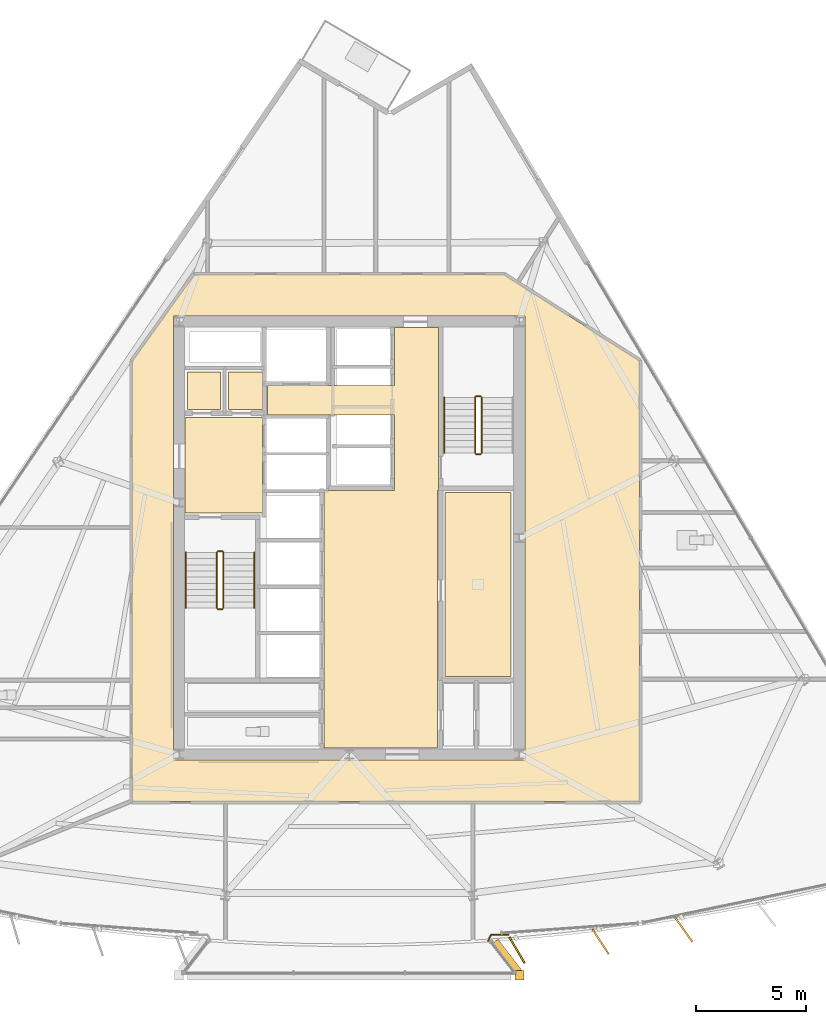
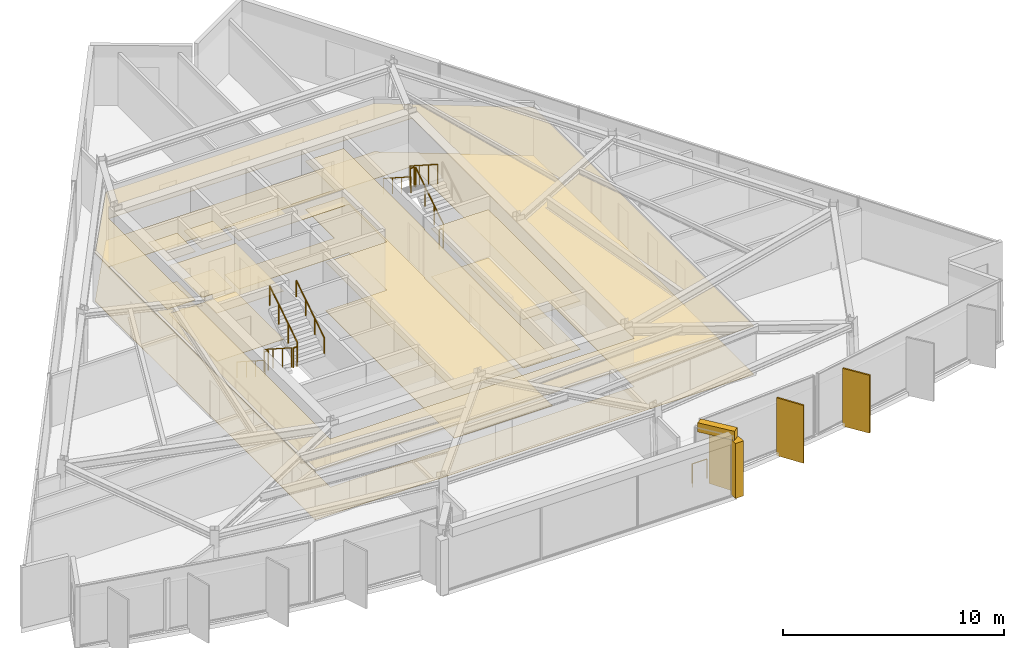
# One storey, part 12 of 14: 14 coverings, 12 railings, 3 shading devices.
"""IFC4 building model written with IfcOpenShell, lengths in metres."""

from ifc_helpers import new_model, si_unit, direction, frame, origin, origin_2d, place, context, subcontext, project, spatial, polyline, rectangle, circle, outline, extrude, material, layer, layer_set, type_object, element, save


model = new_model("IFC4")

# Units and contexts
model_context = context("Model", 3, precision=1e-05, world=origin(), true_north=direction((0.0, 1.0)))
body_context = subcontext(model_context, "Body", "Model", "MODEL_VIEW")
ifc_project = project(units=[si_unit("LENGTHUNIT", "METRE"), si_unit("AREAUNIT", "SQUARE_METRE"), si_unit("VOLUMEUNIT", "CUBIC_METRE"), si_unit("PLANEANGLEUNIT", "RADIAN"), si_unit("MASSUNIT", "GRAM", prefix="KILO")], contexts=[model_context])

# Site, building, storey
site_placement = place(None, origin())
site = spatial("IfcSite", under=ifc_project, at=site_placement, CompositionType="ELEMENT")
building_placement = place(site_placement, origin())
building = spatial("IfcBuilding", under=site, at=building_placement, Name="Savorim Split Tower", CompositionType="ELEMENT")
storey_placement = place(building_placement, frame((0.0, 0.0, 209.10009765625)))
storey = spatial("IfcBuildingStorey", under=building, at=storey_placement, Name="L55", CompositionType="ELEMENT", Elevation=209.10009765625)

# Coverings
ifc_material_1 = material(Name="Mineral Fibre Acoustic Ceiling")
ifc_layer_1 = layer(ifc_material_1, 0.02490234375)
ifc_layer_set_1 = layer_set([ifc_layer_1], Name="COV-CEIL-25")
covering_type_1 = type_object("IfcCoveringType", Name="COV-CEIL-25", PredefinedType="CEILING", material=ifc_layer_set_1)
covering_1_placement = place(storey_placement, frame((0.0, 0.0, 2.669921875)))
element("IfcCovering", 1, at=covering_1_placement, inside=storey, type_object=covering_type_1, Name="L55 Firefighting Lift Lobby Acoustic Ceiling", PredefinedType="CEILING", context=body_context, shape_type="SweptSolid", body=[
    extrude(outline(polyline([(-7.429931640625, 5.8701171875), (-7.429931640625, 1.530029296875), (-3.929931640625, 1.530029296875), (-3.929931640625, 5.8701171875), (-7.429931640625, 5.8701171875)])), origin(), (0.0, 0.0, 1.0), 0.02490234375),
])
covering_2_placement = place(storey_placement, frame((0.0, 0.0, 2.669921875)))
element("IfcCovering", 2, at=covering_2_placement, inside=storey, type_object=covering_type_1, Name="L55 Electrical Riser Acoustic Ceiling", PredefinedType="CEILING", context=body_context, shape_type="SweptSolid", body=[
    extrude(outline(polyline([(-7.320068359375, 7.919921875), (-7.320068359375, 6.22998046875), (-5.830078125, 6.22998046875), (-5.830078125, 7.919921875), (-7.320068359375, 7.919921875)])), origin(), (0.0, 0.0, 1.0), 0.02490234375),
])
covering_3_placement = place(storey_placement, frame((0.0, 0.0, 2.669921875)))
element("IfcCovering", 3, at=covering_3_placement, inside=storey, type_object=covering_type_1, Name="L55 Telecom Riser Acoustic Ceiling", PredefinedType="CEILING", context=body_context, shape_type="SweptSolid", body=[
    extrude(outline(polyline([(-5.469970703125, 7.919921875), (-5.469970703125, 6.22998046875), (-3.929931640625, 6.22998046875), (-3.929931640625, 7.919921875), (-5.469970703125, 7.919921875)])), origin(), (0.0, 0.0, 1.0), 0.02490234375),
])
covering_4_placement = place(storey_placement, frame((0.0, 0.0, 2.669921875)))
element("IfcCovering", 4, at=covering_4_placement, inside=storey, type_object=covering_type_1, Name="L55 Lift Lobby Acoustic Ceiling", PredefinedType="CEILING", context=body_context, shape_type="SweptSolid", body=[
    extrude(outline(polyline([(2.050048828125, 2.550048828125), (-1.14990234375, 2.550048828125), (-1.14990234375, -9.10009765625), (4.0, -9.10009765625), (4.0, 2.550048828125), (4.050048828125, 2.550048828125), (4.050048828125, 5.97998046875), (4.050048828125, 7.300048828125), (4.050048828125, 9.929931640625), (2.050048828125, 9.929931640625), (2.050048828125, 7.300048828125), (-3.699951171875, 7.300048828125), (-3.699951171875, 5.97998046875), (2.050048828125, 5.97998046875), (2.050048828125, 2.550048828125)])), origin(), (0.0, 0.0, 1.0), 0.02490234375),
])
covering_5_placement = place(storey_placement, frame((0.0, 0.0, 2.669921875)))
element("IfcCovering", 5, at=covering_5_placement, inside=storey, type_object=covering_type_1, Name="L55 Community Laundry Room Acoustic Ceiling", PredefinedType="CEILING", context=body_context, shape_type="SweptSolid", body=[
    extrude(outline(polyline([(4.330078125, 2.469970703125), (4.330078125, -5.8701171875), (7.320068359375, -5.8701171875), (7.320068359375, 2.469970703125), (4.330078125, 2.469970703125)])), origin(), (0.0, 0.0, 1.0), 0.02490234375),
])
covering_6_placement = place(storey_placement, frame((0.0, 0.0, 2.669921875)))
element("IfcCovering", 6, at=covering_6_placement, inside=storey, type_object=covering_type_1, Name="L55 Corridor Acoustic Ceiling", PredefinedType="CEILING", context=body_context, shape_type="SweptSolid", body=[
    extrude(outline(polyline([(7.009521484375, 12.3291015625), (7.004638671875, 12.329833984375), (7.0, 12.330078125), (-7.0, 12.330078125), (-7.004638671875, 12.329833984375), (-7.009521484375, 12.3291015625), (-7.013916015625, 12.327880859375), (-7.0185546875, 12.326416015625), (-7.022705078125, 12.324462890625), (-7.027099609375, 12.322021484375), (-7.03076171875, 12.3193359375), (-7.034423828125, 12.31640625), (-7.03759765625, 12.312744140625), (-7.04052734375, 12.30908203125), (-9.820556640625, 8.42919921875), (-9.823486328125, 8.4248046875), (-9.82568359375, 8.420166015625), (-9.82763671875, 8.415283203125), (-9.828857421875, 8.410400390625), (-9.82958984375, 8.4052734375), (-9.830078125, 8.39990234375), (-9.830078125, -11.47998046875), (-9.829833984375, -11.48486328125), (-9.8291015625, -11.48974609375), (-9.827880859375, -11.494384765625), (-9.826171875, -11.4990234375), (-9.82421875, -11.503662109375), (-9.821533203125, -11.5078125), (-9.818603515625, -11.51171875), (-9.8154296875, -11.515380859375), (-9.811767578125, -11.518798828125), (-9.807861328125, -11.521484375), (-9.8037109375, -11.524169921875), (-9.799072265625, -11.526123046875), (-9.79443359375, -11.52783203125), (-9.789794921875, -11.529052734375), (-9.784912109375, -11.52978515625), (-9.780029296875, -11.530029296875), (13.10009765625, -11.530029296875), (13.10498046875, -11.52978515625), (13.10986328125, -11.529052734375), (13.114501953125, -11.52783203125), (13.119140625, -11.526123046875), (13.12353515625, -11.524169921875), (13.127685546875, -11.521484375), (13.131591796875, -11.518798828125), (13.135498046875, -11.515380859375), (13.138671875, -11.51171875), (13.1416015625, -11.5078125), (13.14404296875, -11.503662109375), (13.146240234375, -11.4990234375), (13.147705078125, -11.494384765625), (13.14892578125, -11.48974609375), (13.14990234375, -11.48486328125), (13.14990234375, -11.47998046875), (13.14990234375, 8.39990234375), (13.149658203125, 8.405029296875), (13.14892578125, 8.409912109375), (13.147705078125, 8.414794921875), (13.14599609375, 8.41943359375), (13.143798828125, 8.424072265625), (13.14111328125, 8.42822265625), (13.13818359375, 8.432373046875), (13.134765625, 8.43603515625), (13.130859375, 8.439208984375), (13.126708984375, 8.442138671875), (7.02685546875, 12.322265625), (7.022705078125, 12.324462890625), (7.018310546875, 12.326416015625), (7.013916015625, 12.327880859375), (7.009521484375, 12.3291015625)]), holes=[polyline([(-7.949951171875, 10.449951171875), (-7.949951171875, -9.64990234375), (7.949951171875, -9.64990234375), (7.949951171875, 10.449951171875), (-7.949951171875, 10.449951171875)])]), origin(), (0.0, 0.0, 1.0), 0.02490234375),
])
ifc_material_2 = material(Name="Porcelain Stoneware Flooring", Category="masonry")
ifc_layer_2 = layer(ifc_material_2, 0.02001953125)
ifc_layer_set_2 = layer_set([ifc_layer_2], Name="COV-FLOR-20")
covering_type_2 = type_object("IfcCoveringType", Name="COV-FLOR-20", PredefinedType="FLOORING", material=ifc_layer_set_2)
covering_7_placement = place(storey_placement, origin())
element("IfcCovering", 7, at=covering_7_placement, inside=storey, type_object=covering_type_2, Name="L55 Firefighting Lift Lobby Porcelain Flooring", PredefinedType="FLOORING", context=body_context, shape_type="SweptSolid", body=[
    extrude(outline(polyline([(-7.429931640625, 5.8701171875), (-7.429931640625, 1.530029296875), (-3.929931640625, 1.530029296875), (-3.929931640625, 5.8701171875), (-7.429931640625, 5.8701171875)])), origin(), (0.0, 0.0, 1.0), 0.02001953125),
])
covering_8_placement = place(storey_placement, origin())
element("IfcCovering", 8, at=covering_8_placement, inside=storey, type_object=covering_type_2, Name="L55 Electrical Riser Porcelain Flooring", PredefinedType="FLOORING", context=body_context, shape_type="SweptSolid", body=[
    extrude(outline(polyline([(-7.320068359375, 7.919921875), (-7.320068359375, 6.22998046875), (-5.830078125, 6.22998046875), (-5.830078125, 7.919921875), (-7.320068359375, 7.919921875)])), origin(), (0.0, 0.0, 1.0), 0.02001953125),
])
covering_9_placement = place(storey_placement, origin())
element("IfcCovering", 9, at=covering_9_placement, inside=storey, type_object=covering_type_2, Name="L55 Telecom Riser Porcelain Flooring", PredefinedType="FLOORING", context=body_context, shape_type="SweptSolid", body=[
    extrude(outline(polyline([(-5.469970703125, 7.919921875), (-5.469970703125, 6.22998046875), (-3.929931640625, 6.22998046875), (-3.929931640625, 7.919921875), (-5.469970703125, 7.919921875)])), origin(), (0.0, 0.0, 1.0), 0.02001953125),
])
covering_10_placement = place(storey_placement, origin())
element("IfcCovering", 10, at=covering_10_placement, inside=storey, type_object=covering_type_2, Name="L55 Lift Lobby Porcelain Flooring", PredefinedType="FLOORING", context=body_context, shape_type="SweptSolid", body=[
    extrude(outline(polyline([(2.050048828125, 2.550048828125), (-1.14990234375, 2.550048828125), (-1.14990234375, -9.10009765625), (4.0, -9.10009765625), (4.0, 2.550048828125), (4.050048828125, 2.550048828125), (4.050048828125, 5.97998046875), (4.050048828125, 7.300048828125), (4.050048828125, 9.929931640625), (2.050048828125, 9.929931640625), (2.050048828125, 7.300048828125), (-3.699951171875, 7.300048828125), (-3.699951171875, 5.97998046875), (2.050048828125, 5.97998046875), (2.050048828125, 2.550048828125)])), origin(), (0.0, 0.0, 1.0), 0.02001953125),
])
covering_11_placement = place(storey_placement, origin())
element("IfcCovering", 11, at=covering_11_placement, inside=storey, type_object=covering_type_2, Name="L55 Community Laundry Room Porcelain Flooring", PredefinedType="FLOORING", context=body_context, shape_type="SweptSolid", body=[
    extrude(outline(polyline([(4.330078125, 2.469970703125), (4.330078125, -5.8701171875), (7.320068359375, -5.8701171875), (7.320068359375, 2.469970703125), (4.330078125, 2.469970703125)])), origin(), (0.0, 0.0, 1.0), 0.02001953125),
])
covering_12_placement = place(storey_placement, origin())
element("IfcCovering", 12, at=covering_12_placement, inside=storey, type_object=covering_type_2, Name="L55 Corridor Porcelain Flooring", PredefinedType="FLOORING", context=body_context, shape_type="SweptSolid", body=[
    extrude(outline(polyline([(7.009521484375, 12.3291015625), (7.004638671875, 12.329833984375), (7.0, 12.330078125), (-7.0, 12.330078125), (-7.004638671875, 12.329833984375), (-7.009521484375, 12.3291015625), (-7.013916015625, 12.327880859375), (-7.0185546875, 12.326416015625), (-7.022705078125, 12.324462890625), (-7.027099609375, 12.322021484375), (-7.03076171875, 12.3193359375), (-7.034423828125, 12.31640625), (-7.03759765625, 12.312744140625), (-7.04052734375, 12.30908203125), (-9.820556640625, 8.42919921875), (-9.823486328125, 8.4248046875), (-9.82568359375, 8.420166015625), (-9.82763671875, 8.415283203125), (-9.828857421875, 8.410400390625), (-9.82958984375, 8.4052734375), (-9.830078125, 8.39990234375), (-9.830078125, -11.47998046875), (-9.829833984375, -11.48486328125), (-9.8291015625, -11.48974609375), (-9.827880859375, -11.494384765625), (-9.826171875, -11.4990234375), (-9.82421875, -11.503662109375), (-9.821533203125, -11.5078125), (-9.818603515625, -11.51171875), (-9.8154296875, -11.515380859375), (-9.811767578125, -11.518798828125), (-9.807861328125, -11.521484375), (-9.8037109375, -11.524169921875), (-9.799072265625, -11.526123046875), (-9.79443359375, -11.52783203125), (-9.789794921875, -11.529052734375), (-9.784912109375, -11.52978515625), (-9.780029296875, -11.530029296875), (13.10009765625, -11.530029296875), (13.10498046875, -11.52978515625), (13.10986328125, -11.529052734375), (13.114501953125, -11.52783203125), (13.119140625, -11.526123046875), (13.12353515625, -11.524169921875), (13.127685546875, -11.521484375), (13.131591796875, -11.518798828125), (13.135498046875, -11.515380859375), (13.138671875, -11.51171875), (13.1416015625, -11.5078125), (13.14404296875, -11.503662109375), (13.146240234375, -11.4990234375), (13.147705078125, -11.494384765625), (13.14892578125, -11.48974609375), (13.14990234375, -11.48486328125), (13.14990234375, -11.47998046875), (13.14990234375, 8.39990234375), (13.149658203125, 8.405029296875), (13.14892578125, 8.409912109375), (13.147705078125, 8.414794921875), (13.14599609375, 8.41943359375), (13.143798828125, 8.424072265625), (13.14111328125, 8.42822265625), (13.13818359375, 8.432373046875), (13.134765625, 8.43603515625), (13.130859375, 8.439208984375), (13.126708984375, 8.442138671875), (7.02685546875, 12.322265625), (7.022705078125, 12.324462890625), (7.018310546875, 12.326416015625), (7.013916015625, 12.327880859375), (7.009521484375, 12.3291015625)]), holes=[polyline([(-7.949951171875, 10.449951171875), (-7.949951171875, -9.64990234375), (7.949951171875, -9.64990234375), (7.949951171875, 10.449951171875), (-7.949951171875, 10.449951171875)])]), origin(), (0.0, 0.0, 1.0), 0.02001953125),
])
ifc_material_3 = material(Name="White Porcelain Architectural Cladding")
ifc_layer_3 = layer(ifc_material_3, 0.139892578125)
ifc_layer_set_3 = layer_set([ifc_layer_3], Name="COV-FRM-WHITE")
covering_type_3 = type_object("IfcCoveringType", Name="COV-FRM-WHITE", PredefinedType="CLADDING", material=ifc_layer_set_3)
covering_13_placement = place(storey_placement, frame((0.0, 0.0, 3.079833984375)))
element("IfcCovering", 13, at=covering_13_placement, inside=storey, type_object=covering_type_3, Name="L55 Cantilevered Lounge White Upper Cornice Band E", PredefinedType="CLADDING", context=body_context, shape_type="SweptSolid", body=[
    extrude(outline(polyline([(7.84033203125, -19.198486328125), (6.740478515625, -17.773681640625), (6.47119140625, -17.981201171875), (7.571044921875, -19.40625), (7.84033203125, -19.198486328125)])), origin(), (0.0, 0.0, 1.0), 0.510009765625),
])
covering_14_placement = place(storey_placement, frame((0.0, 0.0, 0.010009765625)))
element("IfcCovering", 14, at=covering_14_placement, inside=storey, type_object=covering_type_3, Name="L55 Cantilevered Lounge White Frame Corner Post 2", PredefinedType="CLADDING", context=body_context, shape_type="SweptSolid", body=[
    extrude(outline(polyline([(7.5048828125, -19.606201171875), (7.925048828125, -19.606201171875), (7.925048828125, -19.186279296875), (7.5048828125, -19.186279296875), (7.5048828125, -19.606201171875)])), origin(), (0.0, 0.0, 1.0), 3.0498046875),
])

# Railings
ifc_material_4 = material(Name="Galvanised Painted Steel Balustrade", Category="steel")
railing_type_1 = type_object("IfcRailingType", Name="RLG-BAL-1100", PredefinedType="BALUSTRADE", material=ifc_material_4)
railing_1_placement = place(storey_placement, frame((6.289306640625, -17.84228515625, 0.0)))
element("IfcRailing", 15, at=railing_1_placement, inside=storey, type_object=railing_type_1, Name="L55 Cantilevered Lounge East Edge Closure Guard", PredefinedType="BALUSTRADE", context=body_context, shape_type="SweptSolid", body=[
    extrude(circle(Radius=0.02392578125, at=origin_2d()), frame((0.0, 0.0, 1.076171875), z_axis=(0.429434058601, 0.90309821687, 0.0), x_axis=(-0.90309821687, 0.429434058601, 0.0)), (0.0, 0.0, 1.0), 0.303466796875),
    extrude(circle(Radius=0.02392578125, at=origin_2d()), frame((0.13037109375, 0.274169921875, 1.076171875), z_axis=(1.0, 0.0, 0.0), x_axis=(0.0, 1.0, 0.0)), (0.0, 0.0, 1.0), 0.780029296875),
    extrude(circle(Radius=0.02099609375, at=origin_2d()), origin(), (0.0, 0.0, 1.0), 1.052001953125),
    extrude(circle(Radius=0.02099609375, at=origin_2d()), frame((0.13037109375, 0.274169921875, 0.0)), (0.0, 0.0, 1.0), 1.052001953125),
    extrude(circle(Radius=0.02099609375, at=origin_2d()), frame((0.910400390625, 0.274169921875, 0.0)), (0.0, 0.0, 1.0), 1.052001953125),
])
railing_type_2 = type_object("IfcRailingType", Name="RLG-HR-900", PredefinedType="HANDRAIL", material=ifc_material_4)
railing_2_placement = place(storey_placement, frame((-7.39990234375, -0.25, 0.179931640625)))
element("IfcRailing", 16, at=railing_2_placement, inside=storey, type_object=railing_type_2, Name="L55 ST-1 stair handrail 1", PredefinedType="HANDRAIL", context=body_context, shape_type="SweptSolid", body=[
    extrude(circle(Radius=0.02392578125, at=origin_2d()), frame((0.0, 0.0, 0.8759765625), z_axis=(0.0, -0.841199657755, 0.540724639528), x_axis=(1.0, 0.0, 0.0)), (0.0, 0.0, 1.0), 2.995849609375),
    extrude(circle(Radius=0.02099609375, at=origin_2d()), origin(), (0.0, 0.0, 1.0), 0.851806640625),
    extrude(circle(Radius=0.02099609375, at=origin_2d()), frame((0.0, -0.840087890625, 0.5400390625)), (0.0, 0.0, 1.0), 0.851806640625),
    extrude(circle(Radius=0.02099609375, at=origin_2d()), frame((0.0, -1.679931640625, 1.079833984375)), (0.0, 0.0, 1.0), 0.851806640625),
    extrude(circle(Radius=0.02099609375, at=origin_2d()), frame((0.0, -2.52001953125, 1.619873046875)), (0.0, 0.0, 1.0), 0.851806640625),
])
railing_3_placement = place(storey_placement, frame((-4.300048828125, -2.77001953125, 1.97998046875)))
element("IfcRailing", 17, at=railing_3_placement, inside=storey, type_object=railing_type_2, Name="L55 ST-1 stair handrail 2", PredefinedType="HANDRAIL", context=body_context, shape_type="SweptSolid", body=[
    extrude(circle(Radius=0.02392578125, at=origin_2d()), frame((0.0, 0.0, 0.8759765625), z_axis=(0.0, 0.841199657755, 0.540724639528), x_axis=(-1.0, 0.0, 0.0)), (0.0, 0.0, 1.0), 2.995849609375),
    extrude(circle(Radius=0.02099609375, at=origin_2d()), origin(), (0.0, 0.0, 1.0), 0.851806640625),
    extrude(circle(Radius=0.02099609375, at=origin_2d()), frame((0.0, 0.840087890625, 0.5400390625)), (0.0, 0.0, 1.0), 0.851806640625),
    extrude(circle(Radius=0.02099609375, at=origin_2d()), frame((0.0, 1.679931640625, 1.079833984375)), (0.0, 0.0, 1.0), 0.851806640625),
    extrude(circle(Radius=0.02099609375, at=origin_2d()), frame((0.0, 2.52001953125, 1.619873046875)), (0.0, 0.0, 1.0), 0.851806640625),
])
railing_4_placement = place(storey_placement, frame((4.300048828125, 6.77001953125, 1.97998046875)))
element("IfcRailing", 18, at=railing_4_placement, inside=storey, type_object=railing_type_2, Name="L55 ST-2 stair handrail 2", PredefinedType="HANDRAIL", context=body_context, shape_type="SweptSolid", body=[
    extrude(circle(Radius=0.02392578125, at=origin_2d()), frame((0.0, 0.0, 0.8759765625), z_axis=(0.0, -0.841199657755, 0.540724639528), x_axis=(1.0, 0.0, 0.0)), (0.0, 0.0, 1.0), 2.995849609375),
    extrude(circle(Radius=0.02099609375, at=origin_2d()), origin(), (0.0, 0.0, 1.0), 0.851806640625),
    extrude(circle(Radius=0.02099609375, at=origin_2d()), frame((0.0, -0.840087890625, 0.5400390625)), (0.0, 0.0, 1.0), 0.851806640625),
    extrude(circle(Radius=0.02099609375, at=origin_2d()), frame((0.0, -1.679931640625, 1.079833984375)), (0.0, 0.0, 1.0), 0.851806640625),
    extrude(circle(Radius=0.02099609375, at=origin_2d()), frame((0.0, -2.52001953125, 1.619873046875)), (0.0, 0.0, 1.0), 0.851806640625),
])
railing_type_3 = type_object("IfcRailingType", Name="RLG-STG-1100", PredefinedType="BALUSTRADE", material=ifc_material_4)
railing_5_placement = place(storey_placement, frame((-6.0, -0.25, 0.179931640625)))
element("IfcRailing", 19, at=railing_5_placement, inside=storey, type_object=railing_type_3, Name="L55 ST-1 stair guard 1", PredefinedType="BALUSTRADE", context=body_context, shape_type="SweptSolid", body=[
    extrude(circle(Radius=0.02392578125, at=origin_2d()), frame((0.0, 0.0, 1.076171875), z_axis=(0.0, -0.841199657755, 0.540724639528), x_axis=(1.0, 0.0, 0.0)), (0.0, 0.0, 1.0), 2.995849609375),
    extrude(circle(Radius=0.02099609375, at=origin_2d()), origin(), (0.0, 0.0, 1.0), 1.052001953125),
    extrude(circle(Radius=0.02099609375, at=origin_2d()), frame((0.0, -0.840087890625, 0.5400390625)), (0.0, 0.0, 1.0), 1.052001953125),
    extrude(circle(Radius=0.02099609375, at=origin_2d()), frame((0.0, -1.679931640625, 1.079833984375)), (0.0, 0.0, 1.0), 1.052001953125),
    extrude(circle(Radius=0.02099609375, at=origin_2d()), frame((0.0, -2.52001953125, 1.619873046875)), (0.0, 0.0, 1.0), 1.052001953125),
])
railing_6_placement = place(storey_placement, frame((-5.949951171875, -2.820068359375, 1.7998046875)))
element("IfcRailing", 20, at=railing_6_placement, inside=storey, type_object=railing_type_3, Name="L55 ST-1 stair guard 2", PredefinedType="BALUSTRADE", context=body_context, shape_type="SweptSolid", body=[
    extrude(circle(Radius=0.02392578125, at=origin_2d()), frame((0.0, 0.0, 1.076171875), z_axis=(1.0, 0.0, 0.0), x_axis=(0.0, 1.0, 0.0)), (0.0, 0.0, 1.0), 0.199951171875),
    extrude(circle(Radius=0.02099609375, at=origin_2d()), origin(), (0.0, 0.0, 1.0), 1.052001953125),
    extrude(circle(Radius=0.02099609375, at=origin_2d()), frame((0.199951171875, 0.0, 0.0)), (0.0, 0.0, 1.0), 1.052001953125),
])
railing_7_placement = place(storey_placement, frame((-5.699951171875, -2.77001953125, 1.97998046875)))
element("IfcRailing", 21, at=railing_7_placement, inside=storey, type_object=railing_type_3, Name="L55 ST-1 stair guard 3", PredefinedType="BALUSTRADE", context=body_context, shape_type="SweptSolid", body=[
    extrude(circle(Radius=0.02392578125, at=origin_2d()), frame((0.0, 0.0, 1.076171875), z_axis=(0.0, 0.841199657755, 0.540724639528), x_axis=(-1.0, 0.0, 0.0)), (0.0, 0.0, 1.0), 2.995849609375),
    extrude(circle(Radius=0.02099609375, at=origin_2d()), origin(), (0.0, 0.0, 1.0), 1.052001953125),
    extrude(circle(Radius=0.02099609375, at=origin_2d()), frame((0.0, 0.840087890625, 0.5400390625)), (0.0, 0.0, 1.0), 1.052001953125),
    extrude(circle(Radius=0.02099609375, at=origin_2d()), frame((0.0, 1.679931640625, 1.079833984375)), (0.0, 0.0, 1.0), 1.052001953125),
    extrude(circle(Radius=0.02099609375, at=origin_2d()), frame((0.0, 2.52001953125, 1.619873046875)), (0.0, 0.0, 1.0), 1.052001953125),
])
railing_8_placement = place(storey_placement, frame((-5.949951171875, -0.199951171875, 0.0)))
element("IfcRailing", 22, at=railing_8_placement, inside=storey, type_object=railing_type_3, Name="L55 ST-1 stair guard 4", PredefinedType="BALUSTRADE", context=body_context, shape_type="SweptSolid", body=[
    extrude(circle(Radius=0.02392578125, at=origin_2d()), frame((0.0, 0.0, 1.076171875), z_axis=(1.0, 0.0, 0.0), x_axis=(0.0, 1.0, 0.0)), (0.0, 0.0, 1.0), 0.199951171875),
    extrude(circle(Radius=0.02099609375, at=origin_2d()), origin(), (0.0, 0.0, 1.0), 1.052001953125),
    extrude(circle(Radius=0.02099609375, at=origin_2d()), frame((0.199951171875, 0.0, 0.0)), (0.0, 0.0, 1.0), 1.052001953125),
])
railing_9_placement = place(storey_placement, frame((6.0, 4.25, 0.179931640625)))
element("IfcRailing", 23, at=railing_9_placement, inside=storey, type_object=railing_type_3, Name="L55 ST-2 stair guard 1", PredefinedType="BALUSTRADE", context=body_context, shape_type="SweptSolid", body=[
    extrude(circle(Radius=0.02392578125, at=origin_2d()), frame((0.0, 0.0, 1.076171875), z_axis=(0.0, 0.841199657755, 0.540724639528), x_axis=(-1.0, 0.0, 0.0)), (0.0, 0.0, 1.0), 2.995849609375),
    extrude(circle(Radius=0.02099609375, at=origin_2d()), origin(), (0.0, 0.0, 1.0), 1.052001953125),
    extrude(circle(Radius=0.02099609375, at=origin_2d()), frame((0.0, 0.840087890625, 0.5400390625)), (0.0, 0.0, 1.0), 1.052001953125),
    extrude(circle(Radius=0.02099609375, at=origin_2d()), frame((0.0, 1.679931640625, 1.079833984375)), (0.0, 0.0, 1.0), 1.052001953125),
    extrude(circle(Radius=0.02099609375, at=origin_2d()), frame((0.0, 2.52001953125, 1.619873046875)), (0.0, 0.0, 1.0), 1.052001953125),
])
railing_10_placement = place(storey_placement, frame((5.949951171875, 6.820068359375, 1.7998046875)))
element("IfcRailing", 24, at=railing_10_placement, inside=storey, type_object=railing_type_3, Name="L55 ST-2 stair guard 2", PredefinedType="BALUSTRADE", context=body_context, shape_type="SweptSolid", body=[
    extrude(circle(Radius=0.02392578125, at=origin_2d()), frame((0.0, 0.0, 1.076171875), z_axis=(-1.0, 0.0, 0.0), x_axis=(0.0, -1.0, 0.0)), (0.0, 0.0, 1.0), 0.199951171875),
    extrude(circle(Radius=0.02099609375, at=origin_2d()), origin(), (0.0, 0.0, 1.0), 1.052001953125),
    extrude(circle(Radius=0.02099609375, at=origin_2d()), frame((-0.199951171875, 0.0, 0.0)), (0.0, 0.0, 1.0), 1.052001953125),
])
railing_11_placement = place(storey_placement, frame((5.699951171875, 6.77001953125, 1.97998046875)))
element("IfcRailing", 25, at=railing_11_placement, inside=storey, type_object=railing_type_3, Name="L55 ST-2 stair guard 3", PredefinedType="BALUSTRADE", context=body_context, shape_type="SweptSolid", body=[
    extrude(circle(Radius=0.02392578125, at=origin_2d()), frame((0.0, 0.0, 1.076171875), z_axis=(0.0, -0.841199657755, 0.540724639528), x_axis=(1.0, 0.0, 0.0)), (0.0, 0.0, 1.0), 2.995849609375),
    extrude(circle(Radius=0.02099609375, at=origin_2d()), origin(), (0.0, 0.0, 1.0), 1.052001953125),
    extrude(circle(Radius=0.02099609375, at=origin_2d()), frame((0.0, -0.840087890625, 0.5400390625)), (0.0, 0.0, 1.0), 1.052001953125),
    extrude(circle(Radius=0.02099609375, at=origin_2d()), frame((0.0, -1.679931640625, 1.079833984375)), (0.0, 0.0, 1.0), 1.052001953125),
    extrude(circle(Radius=0.02099609375, at=origin_2d()), frame((0.0, -2.52001953125, 1.619873046875)), (0.0, 0.0, 1.0), 1.052001953125),
])
railing_12_placement = place(storey_placement, frame((5.949951171875, 4.199951171875, 0.0)))
element("IfcRailing", 26, at=railing_12_placement, inside=storey, type_object=railing_type_3, Name="L55 ST-2 stair guard 4", PredefinedType="BALUSTRADE", context=body_context, shape_type="SweptSolid", body=[
    extrude(circle(Radius=0.02392578125, at=origin_2d()), frame((0.0, 0.0, 1.076171875), z_axis=(-1.0, 0.0, 0.0), x_axis=(0.0, -1.0, 0.0)), (0.0, 0.0, 1.0), 0.199951171875),
    extrude(circle(Radius=0.02099609375, at=origin_2d()), origin(), (0.0, 0.0, 1.0), 1.052001953125),
    extrude(circle(Radius=0.02099609375, at=origin_2d()), frame((-0.199951171875, 0.0, 0.0)), (0.0, 0.0, 1.0), 1.052001953125),
])

# Shading devices
ifc_material_5 = material(Name="Terracotta Ceramic-Coated Aluminium Fin", Category="masonry")
shading_device_type = type_object("IfcShadingDeviceType", Name="SHD-FIN-1360", PredefinedType="USERDEFINED", material=ifc_material_5)
for number, where, z_axis, x_axis, name in (
    (27, (7.599609375, -18.26708984375, -0.2001953125), (0.0, 0.0, 1.0), (0.510391336723, -0.859942255851, 0.0), "L55 Sawtooth Shading Fin 09"),
    (28, (11.38330078125, -17.878662109375, -0.2001953125), (0.0, 0.0, 1.0), (0.545148321708, -0.838339613366, 0.0), "L55 Sawtooth Shading Fin 10"),
    (29, (15.148193359375, -17.335693359375, -0.2001953125), (0.0, 0.0, 1.0), (0.578993757737, -0.815331974414, 0.0), "L55 Sawtooth Shading Fin 11"),
):
    element("IfcShadingDevice", number, at=place(storey_placement, frame(where, z_axis=z_axis, x_axis=x_axis)), inside=storey, type_object=shading_device_type, Name=name, ObjectType="FIN", PredefinedType="USERDEFINED", context=body_context, shape_type="SweptSolid", body=[
        extrude(rectangle(XDim=1.360107421875, YDim=0.080078125, at=origin_2d()), origin(), (0.0, 0.0, 1.0), 3.199951171875),
    ])

save(model, "model.ifc")
